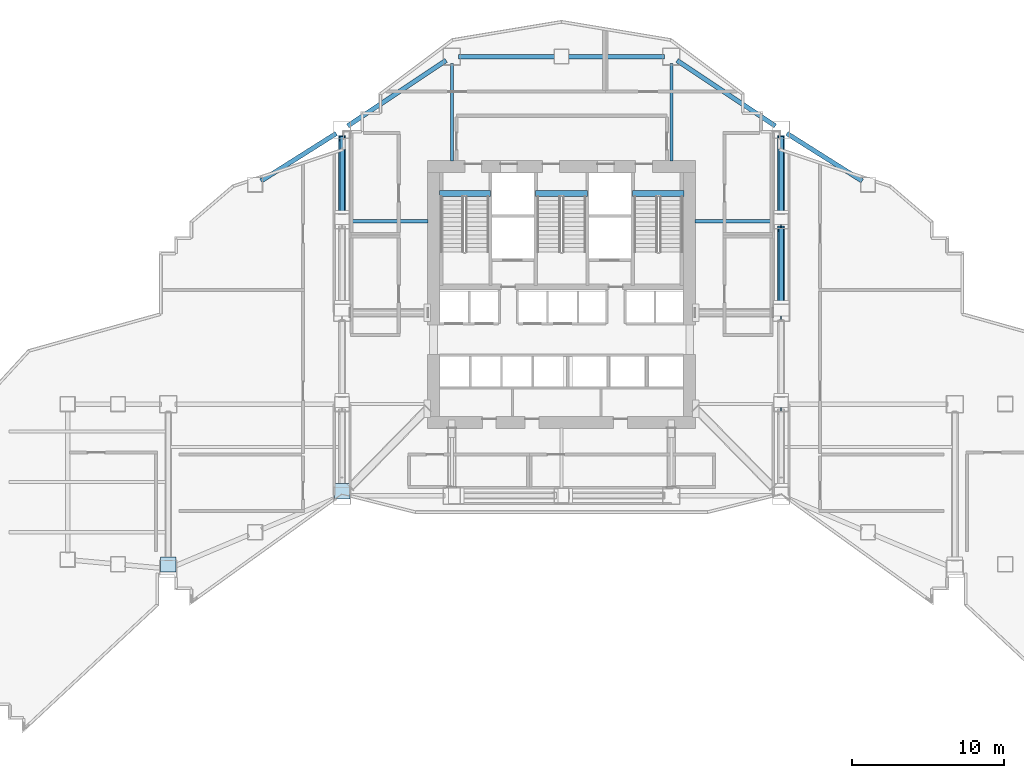
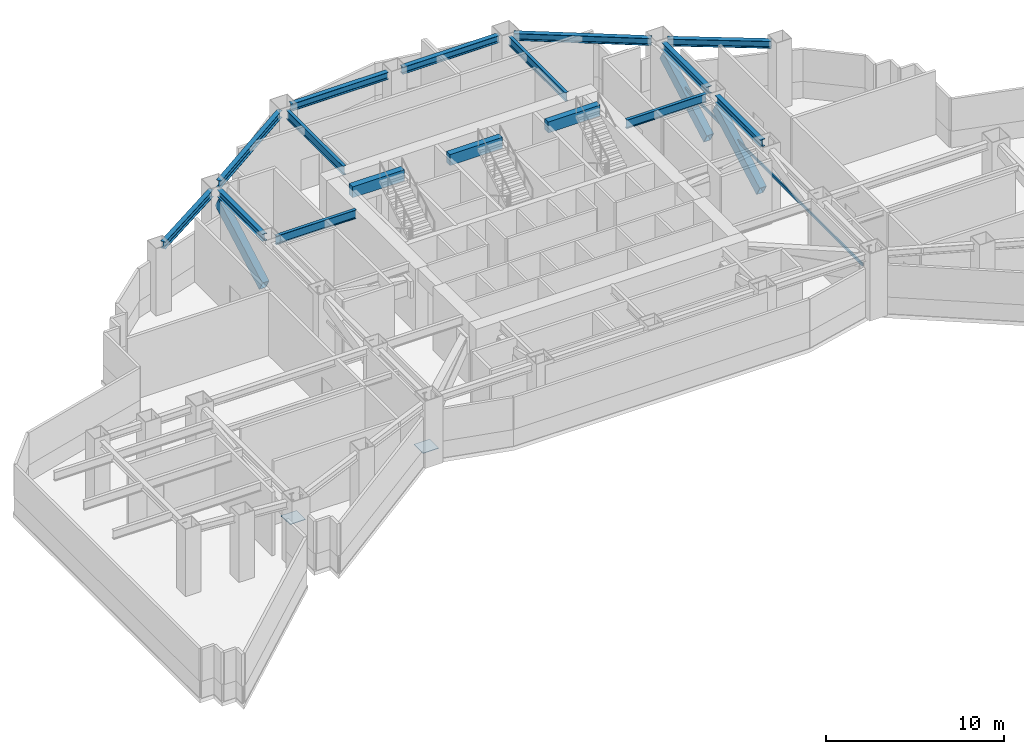
# One storey, part 2 of 23: 16 beams, 4 members, 2 plates.
"""IFC4 building model written with IfcOpenShell, lengths in metres."""

from ifc_helpers import new_model, si_unit, direction, frame, origin, origin_2d, place, context, subcontext, project, spatial, rectangle, hollow_rectangle, i_section, extrude, material, layer, layer_set, material_profile, profile_set, type_object, element, save


model = new_model("IFC4")

# Units and contexts
model_context = context("Model", 3, precision=1e-05, world=origin(), true_north=direction((0.0, 1.0)))
body_context = subcontext(model_context, "Body", "Model", "MODEL_VIEW")
ifc_project = project(units=[si_unit("LENGTHUNIT", "METRE"), si_unit("AREAUNIT", "SQUARE_METRE"), si_unit("VOLUMEUNIT", "CUBIC_METRE"), si_unit("PLANEANGLEUNIT", "RADIAN"), si_unit("MASSUNIT", "GRAM", prefix="KILO")], contexts=[model_context])

# Site, building, storey
site_placement = place(None, origin())
site = spatial("IfcSite", under=ifc_project, at=site_placement, CompositionType="ELEMENT")
building_placement = place(site_placement, origin())
building = spatial("IfcBuilding", under=site, at=building_placement, Name="Haolan Belvedere Tower", CompositionType="ELEMENT")
storey_placement = place(building_placement, frame((0.0, 0.0, 89.39990234375)))
storey = spatial("IfcBuildingStorey", under=building, at=storey_placement, Name="L22", CompositionType="ELEMENT", Elevation=89.39990234375)

# Beams
ifc_material_1 = material(Name="Steel Q355B", Category="steel")
ifc_material_profile_1 = material_profile(ifc_material_1, i_section(OverallWidth=0.300048828125, OverallDepth=0.488037109375, WebThickness=0.010986328125, FlangeThickness=0.01806640625, FilletRadius=0.02587890625, at=origin_2d()), Name="Steel Q355B")
ifc_profile_set_1 = profile_set([ifc_material_profile_1], Name="Steel Q355B")
beam_type_1 = type_object("IfcBeamType", Name="BM-HM488x300x11x18", PredefinedType="SPANDREL", material=ifc_profile_set_1)
for number, where, z_axis, x_axis, name in (
    (1, (24.0, 40.050048828125, 4.106201171875), (0.0, 1.0, 0.0), (-1.0, 0.0, 0.0), "L22 spandrel girder TC-T3-W2-MC-T3-NW"),
    (2, (52.800048828125, 34.050048828125, 4.106201171875), (0.0, 1.0, 0.0), (-1.0, 0.0, 0.0), "L22 spandrel girder MC-T3-ME-TC-T3-E2"),
    (3, (52.800048828125, 40.050048828125, 4.106201171875), (0.0, 1.0, 0.0), (-1.0, 0.0, 0.0), "L22 spandrel girder TC-T3-E2-MC-T3-NE"),
):
    element("IfcBeam", number, at=place(storey_placement, frame(where, z_axis=z_axis, x_axis=x_axis)), inside=storey, type_object=beam_type_1, Name=name, PredefinedType="SPANDREL", context=body_context, shape_type="SweptSolid", body=[
        extrude(i_section(OverallWidth=0.300048828125, OverallDepth=0.488037109375, WebThickness=0.010986328125, FlangeThickness=0.01806640625, FilletRadius=0.02587890625, at=origin_2d()), origin(), (0.0, 0.0, 1.0), 5.099853515625),
    ])
beam_1_placement = place(storey_placement, frame((24.37451171875, 45.849609375, 4.106201171875), z_axis=(0.832050294338, 0.554700196225, 0.0), x_axis=(-0.554700196225, 0.832050294338, 0.0)))
element("IfcBeam", 4, at=beam_1_placement, inside=storey, type_object=beam_type_1, Name="L22 spandrel girder MC-T3-NW-MC-T3-N1", PredefinedType="SPANDREL", context=body_context, shape_type="SweptSolid", body=[
    extrude(i_section(OverallWidth=0.300048828125, OverallDepth=0.488037109375, WebThickness=0.010986328125, FlangeThickness=0.01806640625, FilletRadius=0.02587890625, at=origin_2d()), origin(), (0.0, 0.0, 1.0), 7.75341796875),
])
beam_2_placement = place(storey_placement, frame((31.64990234375, 50.39990234375, 4.106201171875), z_axis=(1.0, 0.0, 0.0), x_axis=(0.0, 1.0, 0.0)))
element("IfcBeam", 5, at=beam_2_placement, inside=storey, type_object=beam_type_1, Name="L22 spandrel girder MC-T3-N1-TC-T3-NM", PredefinedType="SPANDREL", context=body_context, shape_type="SweptSolid", body=[
    extrude(i_section(OverallWidth=0.300048828125, OverallDepth=0.488037109375, WebThickness=0.010986328125, FlangeThickness=0.01806640625, FilletRadius=0.02587890625, at=origin_2d()), origin(), (0.0, 0.0, 1.0), 6.300048828125),
])
beam_3_placement = place(storey_placement, frame((38.85009765625, 50.39990234375, 4.106201171875), z_axis=(1.0, 0.0, 0.0), x_axis=(0.0, 1.0, 0.0)))
element("IfcBeam", 6, at=beam_3_placement, inside=storey, type_object=beam_type_1, Name="L22 spandrel girder TC-T3-NM-MC-T3-N2", PredefinedType="SPANDREL", context=body_context, shape_type="SweptSolid", body=[
    extrude(i_section(OverallWidth=0.300048828125, OverallDepth=0.488037109375, WebThickness=0.010986328125, FlangeThickness=0.01806640625, FilletRadius=0.02587890625, at=origin_2d()), origin(), (0.0, 0.0, 1.0), 6.2998046875),
])
beam_4_placement = place(storey_placement, frame((45.974365234375, 50.150390625, 4.106201171875), z_axis=(0.832050294338, -0.554700196225, 0.0), x_axis=(0.554700196225, 0.832050294338, 0.0)))
element("IfcBeam", 7, at=beam_4_placement, inside=storey, type_object=beam_type_1, Name="L22 spandrel girder MC-T3-N2-MC-T3-NE", PredefinedType="SPANDREL", context=body_context, shape_type="SweptSolid", body=[
    extrude(i_section(OverallWidth=0.300048828125, OverallDepth=0.488037109375, WebThickness=0.010986328125, FlangeThickness=0.01806640625, FilletRadius=0.02587890625, at=origin_2d()), origin(), (0.0, 0.0, 1.0), 7.75341796875),
])
for number, where, z_axis, x_axis, name in (
    (8, (18.680419921875, 42.240234375, 4.106201171875), (0.845497840649, 0.533978839898, 0.0), (-0.533978839898, 0.845497840649, 0.0), "L22 spandrel girder TC-T2-N1-MC-T3-NW"),
    (9, (53.180419921875, 45.359619140625, 4.106201171875), (0.845497840649, -0.533978839898, 0.0), (0.533978839898, 0.845497840649, 0.0), "L22 spandrel girder MC-T3-NE-TC-T4-N1"),
):
    element("IfcBeam", number, at=place(storey_placement, frame(where, z_axis=z_axis, x_axis=x_axis)), inside=storey, type_object=beam_type_1, Name=name, PredefinedType="SPANDREL", context=body_context, shape_type="SweptSolid", body=[
        extrude(i_section(OverallWidth=0.300048828125, OverallDepth=0.488037109375, WebThickness=0.010986328125, FlangeThickness=0.01806640625, FilletRadius=0.02587890625, at=origin_2d()), origin(), (0.0, 0.0, 1.0), 5.841796875),
    ])
ifc_material_profile_2 = material_profile(ifc_material_1, i_section(OverallWidth=0.199951171875, OverallDepth=0.60009765625, WebThickness=0.010986328125, FlangeThickness=0.01708984375, FilletRadius=0.02197265625, at=origin_2d()), Name="Steel Q355B")
ifc_profile_set_2 = profile_set([ifc_material_profile_2], Name="Steel Q355B")
beam_type_2 = type_object("IfcBeamType", Name="BM-HN600x200x11x17", PredefinedType="BEAM", material=ifc_profile_set_2)
beam_5_placement = place(storey_placement, frame((24.449951171875, 39.60009765625, 4.050048828125), z_axis=(1.0, 0.0, 0.0), x_axis=(0.0, 1.0, 0.0)))
element("IfcBeam", 10, at=beam_5_placement, inside=storey, type_object=beam_type_2, Name="L22 core tie beam from TC-T3-W2", PredefinedType="BEAM", context=body_context, shape_type="SweptSolid", body=[
    extrude(i_section(OverallWidth=0.199951171875, OverallDepth=0.60009765625, WebThickness=0.010986328125, FlangeThickness=0.01708984375, FilletRadius=0.02197265625, at=origin_2d()), origin(), (0.0, 0.0, 1.0), 5.199951171875),
])
beam_6_placement = place(storey_placement, frame((52.35009765625, 39.60009765625, 4.050048828125), z_axis=(-1.0, 0.0, 0.0), x_axis=(0.0, -1.0, 0.0)))
element("IfcBeam", 11, at=beam_6_placement, inside=storey, type_object=beam_type_2, Name="L22 core tie beam from TC-T3-E2", PredefinedType="BEAM", context=body_context, shape_type="SweptSolid", body=[
    extrude(i_section(OverallWidth=0.199951171875, OverallDepth=0.60009765625, WebThickness=0.010986328125, FlangeThickness=0.01708984375, FilletRadius=0.02197265625, at=origin_2d()), origin(), (0.0, 0.0, 1.0), 5.2001953125),
])
for number, where, z_axis, x_axis, name in (
    (12, (31.199951171875, 49.949951171875, 4.050048828125), (0.0, -1.0, 0.0), (1.0, 0.0, 0.0), "L22 core tie beam from MC-T3-N1"),
    (13, (45.60009765625, 49.949951171875, 4.050048828125), (0.0, -1.0, 0.0), (1.0, 0.0, 0.0), "L22 core tie beam from MC-T3-N2"),
):
    element("IfcBeam", number, at=place(storey_placement, frame(where, z_axis=z_axis, x_axis=x_axis)), inside=storey, type_object=beam_type_2, Name=name, PredefinedType="BEAM", context=body_context, shape_type="SweptSolid", body=[
        extrude(i_section(OverallWidth=0.199951171875, OverallDepth=0.60009765625, WebThickness=0.010986328125, FlangeThickness=0.01708984375, FilletRadius=0.02197265625, at=origin_2d()), origin(), (0.0, 0.0, 1.0), 6.39990234375),
    ])
ifc_material_2 = material(Name="Concrete C50/60", Category="concrete")
ifc_material_profile_3 = material_profile(ifc_material_2, rectangle(XDim=0.39990234375, YDim=0.75, at=origin_2d()), Name="Concrete C50/60")
ifc_profile_set_3 = profile_set([ifc_material_profile_3], Name="Concrete C50/60")
beam_type_3 = type_object("IfcBeamType", Name="BM-RC400x750", PredefinedType="T_BEAM", material=ifc_profile_set_3)
beam_7_placement = place(storey_placement, frame((30.3798828125, 41.429931640625, 4.22509765625), z_axis=(1.0, 0.0, 0.0), x_axis=(0.0, 1.0, 0.0)))
element("IfcBeam", 14, at=beam_7_placement, inside=storey, type_object=beam_type_3, Name="L23 stair ST1 RC header trimmer beam", PredefinedType="BEAM", context=body_context, shape_type="SweptSolid", body=[
    extrude(rectangle(XDim=0.39990234375, YDim=0.75, at=origin_2d()), origin(), (0.0, 0.0, 1.0), 3.360107421875),
])
beam_8_placement = place(storey_placement, frame((36.699951171875, 41.429931640625, 4.22509765625), z_axis=(1.0, 0.0, 0.0), x_axis=(0.0, 1.0, 0.0)))
element("IfcBeam", 15, at=beam_8_placement, inside=storey, type_object=beam_type_3, Name="L23 stair ST3 RC header trimmer beam", PredefinedType="BEAM", context=body_context, shape_type="SweptSolid", body=[
    extrude(rectangle(XDim=0.39990234375, YDim=0.75, at=origin_2d()), origin(), (0.0, 0.0, 1.0), 3.400146484375),
])
beam_9_placement = place(storey_placement, frame((43.06005859375, 41.429931640625, 4.22509765625), z_axis=(1.0, 0.0, 0.0), x_axis=(0.0, 1.0, 0.0)))
element("IfcBeam", 16, at=beam_9_placement, inside=storey, type_object=beam_type_3, Name="L23 stair ST2 RC header trimmer beam", PredefinedType="BEAM", context=body_context, shape_type="SweptSolid", body=[
    extrude(rectangle(XDim=0.39990234375, YDim=0.75, at=origin_2d()), origin(), (0.0, 0.0, 1.0), 3.35986328125),
])

# Members
ifc_material_3 = material(Name="Steel Q390GJC", Category="steel")
ifc_material_profile_4 = material_profile(ifc_material_3, hollow_rectangle(XDim=0.449951171875, YDim=0.75, WallThickness=0.028076171875, at=origin_2d()), Name="Steel Q390GJC")
ifc_profile_set_4 = profile_set([ifc_material_profile_4], Name="Steel Q390GJC")
member_type_1 = type_object("IfcMemberType", Name="MEM-BOX750x450x28", PredefinedType="BRACE", material=ifc_profile_set_4)
member_1_placement = place(storey_placement, frame((24.0, 40.090087890625, 0.800048828125), z_axis=(0.0, 0.873941444467, 0.486031224967), x_axis=(-1.0, 0.0, 0.0)))
element("IfcMember", 17, at=member_1_placement, inside=storey, type_object=member_type_1, Name="L22 belt truss diagonal BT-W4", PredefinedType="BRACE", context=body_context, shape_type="SweptSolid", body=[
    extrude(hollow_rectangle(XDim=0.449951171875, YDim=0.75, WallThickness=0.028076171875, at=origin_2d()), origin(), (0.0, 0.0, 1.0), 5.657958984375),
])
member_2_placement = place(storey_placement, frame((52.800048828125, 34.1650390625, 0.800048828125), z_axis=(0.0, 0.87395163684, 0.486012897426), x_axis=(-1.0, 0.0, 0.0)))
element("IfcMember", 18, at=member_2_placement, inside=storey, type_object=member_type_1, Name="L22 belt truss diagonal BT-E3", PredefinedType="BRACE", context=body_context, shape_type="SweptSolid", body=[
    extrude(hollow_rectangle(XDim=0.449951171875, YDim=0.75, WallThickness=0.028076171875, at=origin_2d()), origin(), (0.0, 0.0, 1.0), 5.658203125),
])
member_3_placement = place(storey_placement, frame((52.800048828125, 40.090087890625, 0.800048828125), z_axis=(0.0, 0.873941444467, 0.486031224967), x_axis=(-1.0, 0.0, 0.0)))
element("IfcMember", 19, at=member_3_placement, inside=storey, type_object=member_type_1, Name="L22 belt truss diagonal BT-E4", PredefinedType="BRACE", context=body_context, shape_type="SweptSolid", body=[
    extrude(hollow_rectangle(XDim=0.449951171875, YDim=0.75, WallThickness=0.028076171875, at=origin_2d()), origin(), (0.0, 0.0, 1.0), 5.657958984375),
])
ifc_material_profile_5 = material_profile(ifc_material_1, hollow_rectangle(XDim=0.080078125, YDim=0.179931640625, WallThickness=0.006103515625, at=origin_2d()), Name="Steel Q355B")
ifc_profile_set_5 = profile_set([ifc_material_profile_5], Name="Steel Q355B")
member_type_2 = type_object("IfcMemberType", Name="MEM-RHS180x80x6", PredefinedType="CHORD", material=ifc_profile_set_5)
member_4_placement = place(storey_placement, frame((52.800048828125, 22.800048828125, 2.60009765625), z_axis=(0.0, 1.0, 0.0), x_axis=(-1.0, 0.0, 0.0)))
element("IfcMember", 20, at=member_4_placement, inside=storey, type_object=member_type_2, Name="L22 refuge louvre structural girt chord GE", PredefinedType="STRUT", context=body_context, shape_type="SweptSolid", body=[
    extrude(hollow_rectangle(XDim=0.080078125, YDim=0.179931640625, WallThickness=0.006103515625, at=origin_2d()), origin(), (0.0, 0.0, 1.0), 21.599853515625),
])

# Plates
ifc_layer = layer(ifc_material_3, 0.035888671875, Name="Steel Q390GJC")
ifc_layer_set = layer_set([ifc_layer], Name="Steel Q390GJC")
plate_type = type_object("IfcPlateType", Name="PL-NODE-NP03", PredefinedType="USERDEFINED", material=ifc_layer_set)
for number, where, z_axis, x_axis, name in (
    (21, (24.0, 21.882568359375, 0.7822265625), (0.0, 0.0, 1.0), (1.0, 0.0, 0.0), "NP-03 belt truss node plate L22 BT-W1"),
    (22, (12.60009765625, 17.08251953125, 2.80224609375), (0.0, 0.0, 1.0), (1.0, 0.0, 0.0), "NP-03 belt truss node plate L22 BT-T2"),
):
    element("IfcPlate", number, at=place(storey_placement, frame(where, z_axis=z_axis, x_axis=x_axis)), inside=storey, type_object=plate_type, Name=name, ObjectType="GUSSET", PredefinedType="USERDEFINED", context=body_context, shape_type="SweptSolid", body=[
        extrude(rectangle(XDim=1.010009765625, YDim=1.010009765625, at=origin_2d()), origin(), (0.0, 0.0, 1.0), 0.035888671875),
    ])

save(model, "model.ifc")
